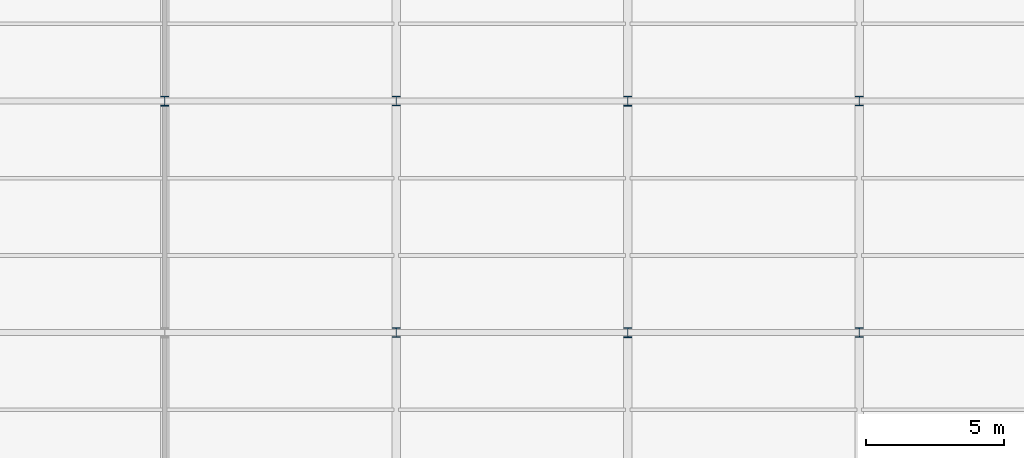
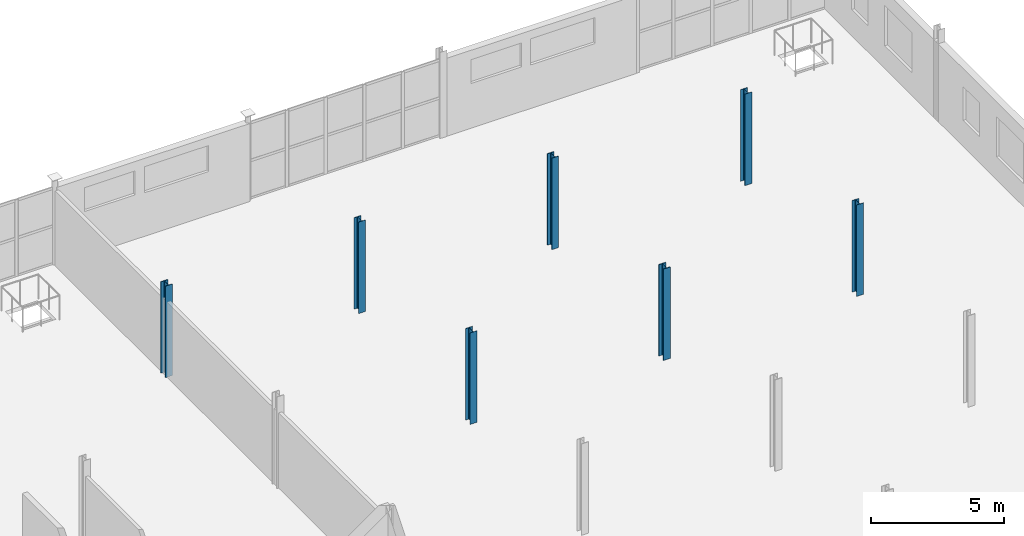
# One storey, part 19 of 163: 7 columns.
"""IFC4 building model written with IfcOpenShell, lengths in metres."""

from ifc_helpers import new_model, si_unit, direction, frame, origin, origin_2d, place, context, subcontext, project, spatial, i_section, extrude, material, material_profile, profile_set, type_object, element, save


model = new_model("IFC4")

# Units and contexts
model_context = context("Model", 3, precision=1e-05, world=origin(), true_north=direction((0.0, 1.0)))
body_context = subcontext(model_context, "Body", "Model", "MODEL_VIEW")
ifc_project = project(units=[si_unit("LENGTHUNIT", "METRE"), si_unit("AREAUNIT", "SQUARE_METRE"), si_unit("VOLUMEUNIT", "CUBIC_METRE"), si_unit("PLANEANGLEUNIT", "RADIAN"), si_unit("MASSUNIT", "GRAM", prefix="KILO")], contexts=[model_context])

# Site, building, storey
site_placement = place(None, origin())
site = spatial("IfcSite", under=ifc_project, at=site_placement, CompositionType="ELEMENT")
building_placement = place(site_placement, origin())
building = spatial("IfcBuilding", under=site, at=building_placement, Name="Qalvenar Corner Mobility Hub", CompositionType="ELEMENT")
storey_placement = place(building_placement, frame((0.0, 0.0, 4.800048828125)))
storey = spatial("IfcBuildingStorey", under=building, at=storey_placement, Name="L01", CompositionType="ELEMENT", Elevation=4.800048828125)

# Columns
ifc_material = material(Name="Steel S355", Category="steel")
ifc_material_profile_1 = material_profile(ifc_material, i_section(OverallWidth=0.300048828125, OverallDepth=0.35009765625, WebThickness=0.010009765625, FlangeThickness=0.017578125, FilletRadius=0.027099609375, at=origin_2d()), Name="HEA360")
ifc_profile_set_1 = profile_set([ifc_material_profile_1], Name="Steel S355")
column_type_1 = type_object("IfcColumnType", Name="COL-HEA360", PredefinedType="COLUMN", material=ifc_profile_set_1)
for number, where, z_axis, x_axis, name in (
    (1, (142.800048828125, 33.60009765625, 0.0), (0.0, 0.0, 1.0), (1.0, 0.0, 0.0), "Steel Column L01-G18-4"),
    (2, (142.800048828125, 42.0, 0.0), (0.0, 0.0, 1.0), (1.0, 0.0, 0.0), "Steel Column L01-G18-5"),
    (3, (159.60009765625, 33.60009765625, 0.0), (0.0, 0.0, 1.0), (1.0, 0.0, 0.0), "Steel Column L01-G20-4"),
    (4, (159.60009765625, 42.0, 0.0), (0.0, 0.0, 1.0), (1.0, 0.0, 0.0), "Steel Column L01-G20-5"),
):
    element("IfcColumn", number, at=place(storey_placement, frame(where, z_axis=z_axis, x_axis=x_axis)), inside=storey, type_object=column_type_1, Name=name, PredefinedType="COLUMN", context=body_context, shape_type="SweptSolid", body=[
        extrude(i_section(OverallWidth=0.300048828125, OverallDepth=0.35009765625, WebThickness=0.010009765625, FlangeThickness=0.017578125, FilletRadius=0.027099609375, at=origin_2d()), origin(), (0.0, 0.0, 1.0), 4.199951171875),
    ])
ifc_material_profile_2 = material_profile(ifc_material, i_section(OverallWidth=0.300048828125, OverallDepth=0.360107421875, WebThickness=0.012451171875, FlangeThickness=0.0224609375, FilletRadius=0.027099609375, at=origin_2d()), Name="HEB360")
ifc_profile_set_2 = profile_set([ifc_material_profile_2], Name="Steel S355")
column_type_2 = type_object("IfcColumnType", Name="COL-HEB360", PredefinedType="COLUMN", material=ifc_profile_set_2)
for number, where, z_axis, x_axis, name in (
    (5, (134.39990234375, 42.0, 0.0), (0.0, 0.0, 1.0), (1.0, 0.0, 0.0), "Steel Column L01-G17-5"),
    (6, (151.199951171875, 33.60009765625, 0.0), (0.0, 0.0, 1.0), (1.0, 0.0, 0.0), "Steel Column L01-G19-4"),
    (7, (151.199951171875, 42.0, 0.0), (0.0, 0.0, 1.0), (1.0, 0.0, 0.0), "Steel Column L01-G19-5"),
):
    element("IfcColumn", number, at=place(storey_placement, frame(where, z_axis=z_axis, x_axis=x_axis)), inside=storey, type_object=column_type_2, Name=name, PredefinedType="COLUMN", context=body_context, shape_type="SweptSolid", body=[
        extrude(i_section(OverallWidth=0.300048828125, OverallDepth=0.360107421875, WebThickness=0.012451171875, FlangeThickness=0.0224609375, FilletRadius=0.027099609375, at=origin_2d()), origin(), (0.0, 0.0, 1.0), 4.199951171875),
    ])

save(model, "model.ifc")
